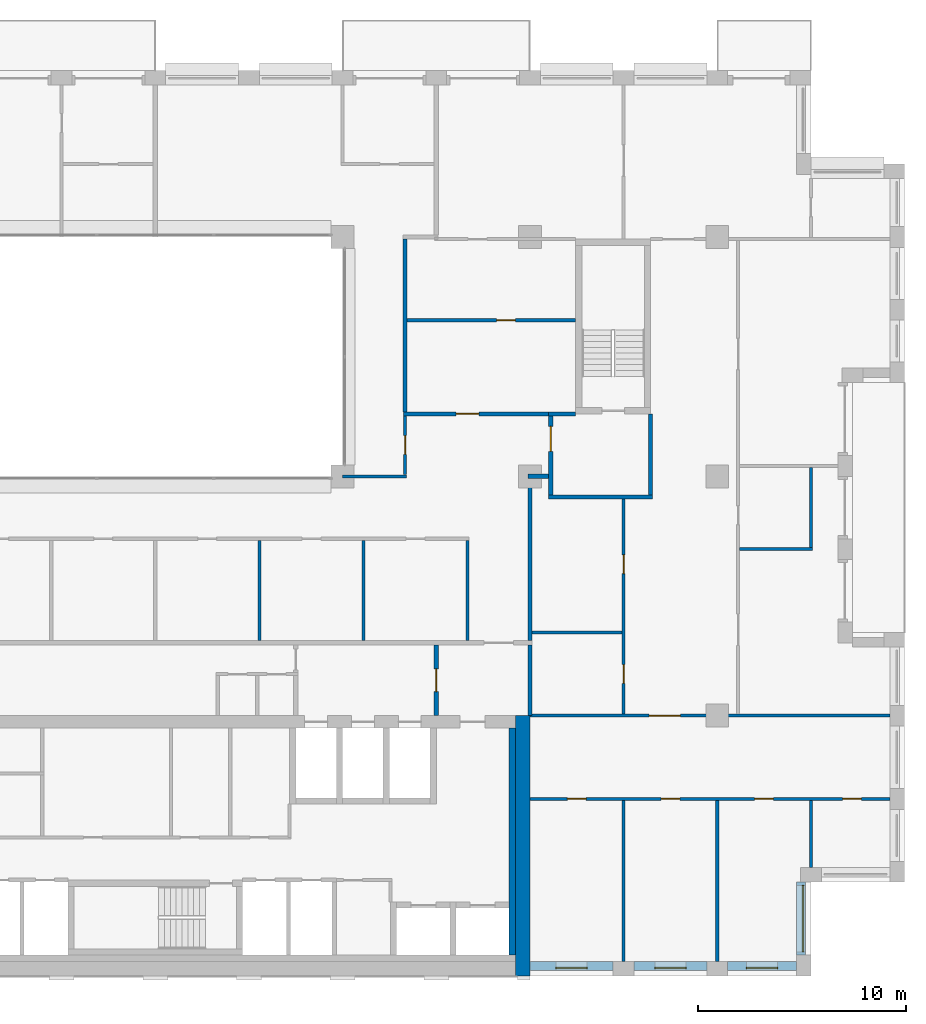
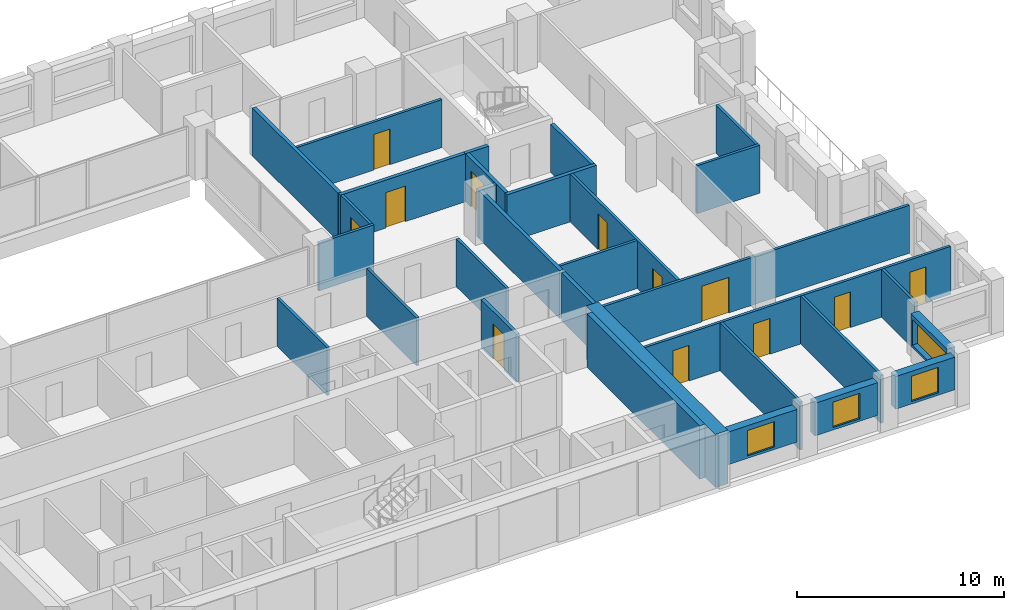
# One storey, part 11 of 16: 31 walls, 12 doors, 4 windows, 16 openings.
"""IFC4 building model written with IfcOpenShell, lengths in metres."""

from ifc_helpers import new_model, si_unit, direction, frame, frame_2d, origin, place, context, subcontext, project, spatial, rectangle, extrude, material, layer, layer_set, type_object, element, fill, save


model = new_model("IFC4")

# Units and contexts
model_context = context("Model", 3, precision=1e-05, world=origin(), true_north=direction((0.0, 1.0)))
body_context = subcontext(model_context, "Body", "Model", "MODEL_VIEW")
ifc_project = project(units=[si_unit("LENGTHUNIT", "METRE"), si_unit("AREAUNIT", "SQUARE_METRE"), si_unit("VOLUMEUNIT", "CUBIC_METRE"), si_unit("PLANEANGLEUNIT", "RADIAN"), si_unit("MASSUNIT", "GRAM", prefix="KILO")], contexts=[model_context])

# Site, building, storey
site_placement = place(None, origin())
site = spatial("IfcSite", under=ifc_project, at=site_placement, CompositionType="ELEMENT")
building_placement = place(site_placement, origin())
building = spatial("IfcBuilding", under=site, at=building_placement, Name="Brigalow Station Residences", CompositionType="ELEMENT")
storey_placement = place(building_placement, frame((0.0, 0.0, 166.5)))
storey = spatial("IfcBuildingStorey", under=building, at=storey_placement, Name="L48", CompositionType="ELEMENT", Elevation=166.5)

# Wall, opening, window
ifc_material_1 = material(Name="Clay brick masonry", Category="masonry")
ifc_layer_1 = layer(ifc_material_1, 0.449951171875)
ifc_layer_set_1 = layer_set([ifc_layer_1], Name="BRICK INFILL WALL 450")
wall_type_1 = type_object("IfcWallType", Name="BRICK INFILL WALL 450", PredefinedType="SOLIDWALL", material=ifc_layer_set_1)
wall_1_placement = place(storey_placement, frame((54.0, 0.47509765625, 0.89990234375), z_axis=(0.0, 0.0, 1.0), x_axis=(1.0, 0.0, 0.0)))
wall_1 = element("IfcWall", 1, at=wall_1_placement, inside=storey, type_object=wall_type_1, Name="L48/ewall/W-L48-4", PredefinedType="SOLIDWALL", context=body_context, shape_type="SweptSolid", body=[
    extrude(rectangle(XDim=4.0, YDim=0.449951171875, at=frame_2d((2.0, 0.0))), origin(), (0.0, 0.0, 1.0), 1.93017578125),
])
opening_1_placement = place(wall_1_placement, frame((1.25, 0.0, 0.14990234375)))
opening_1 = element("IfcOpeningElement", 2, at=opening_1_placement, cuts=wall_1, Name="Opening WT-1", PredefinedType="OPENING", context=body_context, shape_type="SweptSolid", body=[
    extrude(rectangle(XDim=1.5, YDim=1.5, at=frame_2d((0.75, 0.75))), frame((0.0, 0.23486328125, 0.0), z_axis=(0.0, -1.0, 0.0), x_axis=(1.0, 0.0, 0.0)), (0.0, 0.0, 1.0), 0.469970703125),
])
ifc_material_2 = material(Name="Anodised aluminium frame with double glazing", Category="aluminium")
window_type_1 = type_object("IfcWindowType", Name="WINDOW 1500x1500", PartitioningType="SINGLE_PANEL", PredefinedType="WINDOW", material=ifc_material_2)
window_1_placement = place(opening_1_placement, origin())
window_1 = element("IfcWindow", 3, at=window_1_placement, inside=storey, type_object=window_type_1, Name="L48/window/W-L48-4", OverallHeight=1.5, OverallWidth=1.5, PartitioningType="SINGLE_PANEL", PredefinedType="WINDOW", context=body_context, shape_type="SweptSolid", body=[
    extrude(rectangle(XDim=1.5, YDim=1.5, at=frame_2d((0.75, 0.75))), frame((0.0, -0.06494140625, 0.0), z_axis=(0.0, -1.0, 0.0), x_axis=(1.0, 0.0, 0.0)), (0.0, 0.0, 1.0), 0.06005859375),
])
fill(opening_1, window_1)

wall_2_placement = place(storey_placement, frame((59.0, 0.47509765625, 0.89990234375), z_axis=(0.0, 0.0, 1.0), x_axis=(1.0, 0.0, 0.0)))
wall_2 = element("IfcWall", 4, at=wall_2_placement, inside=storey, type_object=wall_type_1, Name="L48/ewall/W-L48-5", PredefinedType="SOLIDWALL", context=body_context, shape_type="SweptSolid", body=[
    extrude(rectangle(XDim=3.5, YDim=0.449951171875, at=frame_2d((1.75, 0.0))), origin(), (0.0, 0.0, 1.0), 1.93017578125),
])
opening_2_placement = place(wall_2_placement, frame((1.0, 0.0, 0.14990234375)))
opening_2 = element("IfcOpeningElement", 5, at=opening_2_placement, cuts=wall_2, Name="Opening WT-1", PredefinedType="OPENING", context=body_context, shape_type="SweptSolid", body=[
    extrude(rectangle(XDim=1.5, YDim=1.5, at=frame_2d((0.75, 0.75))), frame((0.0, 0.23486328125, 0.0), z_axis=(0.0, -1.0, 0.0), x_axis=(1.0, 0.0, 0.0)), (0.0, 0.0, 1.0), 0.469970703125),
])
window_2_placement = place(opening_2_placement, origin())
window_2 = element("IfcWindow", 6, at=window_2_placement, inside=storey, type_object=window_type_1, Name="L48/window/W-L48-5", OverallHeight=1.5, OverallWidth=1.5, PartitioningType="SINGLE_PANEL", PredefinedType="WINDOW", context=body_context, shape_type="SweptSolid", body=[
    extrude(rectangle(XDim=1.5, YDim=1.5, at=frame_2d((0.75, 0.75))), frame((0.0, -0.06494140625, 0.0), z_axis=(0.0, -1.0, 0.0), x_axis=(1.0, 0.0, 0.0)), (0.0, 0.0, 1.0), 0.06005859375),
])
fill(opening_2, window_2)

wall_3_placement = place(storey_placement, frame((63.5, 0.47509765625, 0.89990234375), z_axis=(0.0, 0.0, 1.0), x_axis=(1.0, 0.0, 0.0)))
wall_3 = element("IfcWall", 7, at=wall_3_placement, inside=storey, type_object=wall_type_1, Name="L48/ewall/W-L48-6", PredefinedType="SOLIDWALL", context=body_context, shape_type="SweptSolid", body=[
    extrude(rectangle(XDim=3.300048828125, YDim=0.449951171875, at=frame_2d((1.64990234375, 0.0))), origin(), (0.0, 0.0, 1.0), 1.93017578125),
])
opening_3_placement = place(wall_3_placement, frame((0.89990234375, 0.0, 0.14990234375)))
opening_3 = element("IfcOpeningElement", 8, at=opening_3_placement, cuts=wall_3, Name="Opening WT-1", PredefinedType="OPENING", context=body_context, shape_type="SweptSolid", body=[
    extrude(rectangle(XDim=1.5, YDim=1.5, at=frame_2d((0.75, 0.75))), frame((0.0, 0.23486328125, 0.0), z_axis=(0.0, -1.0, 0.0), x_axis=(1.0, 0.0, 0.0)), (0.0, 0.0, 1.0), 0.469970703125),
])
window_3_placement = place(opening_3_placement, origin())
window_3 = element("IfcWindow", 9, at=window_3_placement, inside=storey, type_object=window_type_1, Name="L48/window/W-L48-6", OverallHeight=1.5, OverallWidth=1.5, PartitioningType="SINGLE_PANEL", PredefinedType="WINDOW", context=body_context, shape_type="SweptSolid", body=[
    extrude(rectangle(XDim=1.5, YDim=1.5, at=frame_2d((0.75, 0.75))), frame((0.0, -0.06494140625, 0.0), z_axis=(0.0, -1.0, 0.0), x_axis=(1.0, 0.0, 0.0)), (0.0, 0.0, 1.0), 0.06005859375),
])
fill(opening_3, window_3)

wall_4_placement = place(storey_placement, frame((67.02490234375, 1.0, 0.89990234375), z_axis=(0.0, 0.0, 1.0), x_axis=(0.0, 1.0, 0.0)))
wall_4 = element("IfcWall", 10, at=wall_4_placement, inside=storey, type_object=wall_type_1, Name="L48/ewall/W-L48-7", PredefinedType="SOLIDWALL", context=body_context, shape_type="SweptSolid", body=[
    extrude(rectangle(XDim=3.5, YDim=0.449951171875, at=frame_2d((1.75, 0.0))), origin(), (0.0, 0.0, 1.0), 1.93017578125),
])
opening_4_placement = place(wall_4_placement, frame((0.14990234375, 0.0, 0.14990234375)))
opening_4 = element("IfcOpeningElement", 11, at=opening_4_placement, cuts=wall_4, Name="Opening WT-9", PredefinedType="OPENING", context=body_context, shape_type="SweptSolid", body=[
    extrude(rectangle(XDim=3.199951171875, YDim=1.5, at=frame_2d((1.60009765625, 0.75))), frame((0.0, 0.23486328125, 0.0), z_axis=(0.0, -1.0, 0.0), x_axis=(1.0, 0.0, 0.0)), (0.0, 0.0, 1.0), 0.469970703125),
])
ifc_material_3 = material(Name="Anodised aluminium frame with double glazing", Category="aluminium")
window_type_2 = type_object("IfcWindowType", Name="WINDOW 3200x1500", PartitioningType="SINGLE_PANEL", PredefinedType="WINDOW", material=ifc_material_3)
window_4_placement = place(opening_4_placement, origin())
window_4 = element("IfcWindow", 12, at=window_4_placement, inside=storey, type_object=window_type_2, Name="L48/window/W-L48-7", OverallHeight=1.5, OverallWidth=3.199951171875, PartitioningType="SINGLE_PANEL", PredefinedType="WINDOW", context=body_context, shape_type="SweptSolid", body=[
    extrude(rectangle(XDim=3.199951171875, YDim=1.5, at=frame_2d((1.60009765625, 0.75))), frame((0.0, -0.06494140625, 0.0), z_axis=(0.0, -1.0, 0.0), x_axis=(1.0, 0.0, 0.0)), (0.0, 0.0, 1.0), 0.06005859375),
])
fill(opening_4, window_4)

# Walls
ifc_material_4 = material(Name="Concrete C65", Category="concrete")
ifc_layer_2 = layer(ifc_material_4, 0.300048828125)
ifc_layer_set_2 = layer_set([ifc_layer_2], Name="CORE SHEAR WALL 300 C65")
wall_type_2 = type_object("IfcWallType", Name="CORE SHEAR WALL 300 C65", PredefinedType="SHEAR", material=ifc_layer_set_2)
wall_5_placement = place(storey_placement, frame((53.14990234375, 1.0, 0.0), z_axis=(0.0, 0.0, 1.0), x_axis=(0.0, 1.0, 0.0)))
element("IfcWall", 13, at=wall_5_placement, inside=storey, type_object=wall_type_2, Name="CORE WALL LIN-E L48", PredefinedType="SHEAR", context=body_context, shape_type="SweptSolid", body=[
    extrude(rectangle(XDim=10.89990234375, YDim=0.300048828125, at=frame_2d((5.449951171875, 0.0))), origin(), (0.0, 0.0, 1.0), 3.14990234375),
])
ifc_material_5 = material(Name="Concrete C65", Category="concrete")
ifc_layer_3 = layer(ifc_material_5, 0.699951171875)
ifc_layer_set_3 = layer_set([ifc_layer_3], Name="CORE SHEAR WALL 700 C65")
wall_type_3 = type_object("IfcWallType", Name="CORE SHEAR WALL 700 C65", PredefinedType="SHEAR", material=ifc_layer_set_3)
wall_6_placement = place(storey_placement, frame((53.64990234375, 0.0, 0.0), z_axis=(0.0, 0.0, 1.0), x_axis=(0.0, 1.0, 0.0)))
element("IfcWall", 14, at=wall_6_placement, inside=storey, type_object=wall_type_3, Name="CORE WALL OUT-E L48", PredefinedType="SHEAR", context=body_context, shape_type="SweptSolid", body=[
    extrude(rectangle(XDim=12.5, YDim=0.699951171875, at=frame_2d((6.25, 0.0))), origin(), (0.0, 0.0, 1.0), 3.14990234375),
])
ifc_material_6 = material(Name="Concrete blockwork", Category="masonry")
ifc_layer_4 = layer(ifc_material_6, 0.199951171875)
ifc_layer_set_4 = layer_set([ifc_layer_4], Name="FIRE RATED CORE PARTITION 200")
wall_type_4 = type_object("IfcWallType", Name="FIRE RATED CORE PARTITION 200", PredefinedType="PARTITIONING", material=ifc_layer_set_4)
wall_7_placement = place(storey_placement, frame((54.89990234375, 23.0, 0.0), z_axis=(0.0, 0.0, 1.0), x_axis=(1.0, 0.0, 0.0)))
element("IfcWall", 15, at=wall_7_placement, inside=storey, type_object=wall_type_4, Name="PW-5024", PredefinedType="PARTITIONING", context=body_context, shape_type="SweptSolid", body=[
    extrude(rectangle(XDim=5.0, YDim=0.199951171875, at=frame_2d((2.5, 0.0))), origin(), (0.0, 0.0, 1.0), 2.830078125),
])
wall_8_placement = place(storey_placement, frame((54.89990234375, 27.0, 0.0), z_axis=(0.0, 0.0, 1.0), x_axis=(1.0, 0.0, 0.0)))
element("IfcWall", 16, at=wall_8_placement, inside=storey, type_object=wall_type_4, Name="PW-5026", PredefinedType="PARTITIONING", context=body_context, shape_type="SweptSolid", body=[
    extrude(rectangle(XDim=1.300048828125, YDim=0.199951171875, at=frame_2d((0.64990234375, 0.0))), origin(), (0.0, 0.0, 1.0), 2.830078125),
])

# Wall, opening, door
wall_9_placement = place(storey_placement, frame((49.5, 12.5, 0.0), z_axis=(0.0, 0.0, 1.0), x_axis=(0.0, 1.0, 0.0)))
wall_9 = element("IfcWall", 17, at=wall_9_placement, inside=storey, type_object=wall_type_4, Name="PW-5015", PredefinedType="PARTITIONING", context=body_context, shape_type="SweptSolid", body=[
    extrude(rectangle(XDim=3.39990234375, YDim=0.199951171875, at=frame_2d((1.699951171875, 0.0))), origin(), (0.0, 0.0, 1.0), 2.830078125),
])
opening_5_placement = place(wall_9_placement, frame((1.14990234375, 0.0, 0.0)))
opening_5 = element("IfcOpeningElement", 18, at=opening_5_placement, cuts=wall_9, Name="Opening D-5014", PredefinedType="OPENING", context=body_context, shape_type="SweptSolid", body=[
    extrude(rectangle(XDim=1.10009765625, YDim=2.10009765625, at=frame_2d((0.550048828125, 1.050048828125))), frame((0.0, 0.10986328125, 0.0), z_axis=(0.0, -1.0, 0.0), x_axis=(1.0, 0.0, 0.0)), (0.0, 0.0, 1.0), 0.219970703125),
])
ifc_material_7 = material(Name="Steel fire door leaf in steel frame", Category="steel")
door_type_1 = type_object("IfcDoorType", Name="LOBBY DOOR 1100 x 2100 FD60S", OperationType="SINGLE_SWING_LEFT", PredefinedType="DOOR", material=ifc_material_7)
door_1_placement = place(opening_5_placement, origin())
door_1 = element("IfcDoor", 19, at=door_1_placement, inside=storey, type_object=door_type_1, Name="D-5014", OperationType="SINGLE_SWING_LEFT", OverallHeight=2.10009765625, OverallWidth=1.10009765625, PredefinedType="DOOR", context=body_context, shape_type="SweptSolid", body=[
    extrude(rectangle(XDim=1.10009765625, YDim=2.10009765625, at=frame_2d((0.550048828125, 1.050048828125))), frame((0.0, 0.02490234375, 0.0), z_axis=(0.0, -1.0, 0.0), x_axis=(1.0, 0.0, 0.0)), (0.0, 0.0, 1.0), 0.050048828125),
])
fill(opening_5, door_1)

# Wall
wall_10_placement = place(storey_placement, frame((54.0, 12.5, 0.0), z_axis=(0.0, 0.0, 1.0), x_axis=(0.0, 1.0, 0.0)))
element("IfcWall", 20, at=wall_10_placement, inside=storey, type_object=wall_type_4, Name="PW-5016", PredefinedType="PARTITIONING", context=body_context, shape_type="SweptSolid", body=[
    extrude(rectangle(XDim=3.39990234375, YDim=0.199951171875, at=frame_2d((1.699951171875, 0.0))), origin(), (0.0, 0.0, 1.0), 2.830078125),
])

# Wall, opening, door
wall_11_placement = place(storey_placement, frame((55.0, 23.10009765625, 0.0), z_axis=(0.0, 0.0, 1.0), x_axis=(0.0, 1.0, 0.0)))
wall_11 = element("IfcWall", 21, at=wall_11_placement, inside=storey, type_object=wall_type_4, Name="PW-5036", PredefinedType="PARTITIONING", context=body_context, shape_type="SweptSolid", body=[
    extrude(rectangle(XDim=3.7998046875, YDim=0.199951171875, at=frame_2d((1.89990234375, 0.0))), origin(), (0.0, 0.0, 1.0), 2.830078125),
])
opening_6_placement = place(wall_11_placement, frame((2.10009765625, 0.0, 0.0)))
opening_6 = element("IfcOpeningElement", 22, at=opening_6_placement, cuts=wall_11, Name="Opening D-5019", PredefinedType="OPENING", context=body_context, shape_type="SweptSolid", body=[
    extrude(rectangle(XDim=1.199951171875, YDim=2.10009765625, at=frame_2d((0.60009765625, 1.050048828125))), frame((0.0, 0.10986328125, 0.0), z_axis=(0.0, -1.0, 0.0), x_axis=(1.0, 0.0, 0.0)), (0.0, 0.0, 1.0), 0.219970703125),
])
ifc_material_8 = material(Name="Steel fire door leaf in steel frame", Category="steel")
door_type_2 = type_object("IfcDoorType", Name="STAIR LOBBY DOOR 1200 x 2100 FD60S", OperationType="SINGLE_SWING_LEFT", PredefinedType="DOOR", material=ifc_material_8)
door_2_placement = place(opening_6_placement, frame((1.199951171875, 0.0, 0.0), z_axis=(0.0, 0.0, 1.0), x_axis=(-1.0, 0.0, 0.0)))
door_2 = element("IfcDoor", 23, at=door_2_placement, inside=storey, type_object=door_type_2, Name="D-5019", OperationType="SINGLE_SWING_LEFT", OverallHeight=2.10009765625, OverallWidth=1.199951171875, PredefinedType="DOOR", context=body_context, shape_type="SweptSolid", body=[
    extrude(rectangle(XDim=1.199951171875, YDim=2.10009765625, at=frame_2d((0.60009765625, 1.050048828125))), frame((0.0, 0.02490234375, 0.0), z_axis=(0.0, -1.0, 0.0), x_axis=(1.0, 0.0, 0.0)), (0.0, 0.0, 1.0), 0.050048828125),
])
fill(opening_6, door_2)

# Walls
wall_12_placement = place(storey_placement, frame((59.800048828125, 23.10009765625, 0.0), z_axis=(0.0, 0.0, 1.0), x_axis=(0.0, 1.0, 0.0)))
element("IfcWall", 24, at=wall_12_placement, inside=storey, type_object=wall_type_4, Name="PW-5037", PredefinedType="PARTITIONING", context=body_context, shape_type="SweptSolid", body=[
    extrude(rectangle(XDim=3.89990234375, YDim=0.199951171875, at=frame_2d((1.949951171875, 0.0))), origin(), (0.0, 0.0, 1.0), 2.830078125),
])
ifc_material_9 = material(Name="Plasterboard on steel stud partition", Category="steel")
ifc_layer_5 = layer(ifc_material_9, 0.14990234375)
ifc_layer_set_5 = layer_set([ifc_layer_5], Name="FLAT PARTITION 150")
wall_type_5 = type_object("IfcWallType", Name="FLAT PARTITION 150", PredefinedType="PARTITIONING", material=ifc_layer_set_5)
wall_13_placement = place(storey_placement, frame((45.0, 24.0, 0.0), z_axis=(0.0, 0.0, 1.0), x_axis=(1.0, 0.0, 0.0)))
element("IfcWall", 25, at=wall_13_placement, inside=storey, type_object=wall_type_5, Name="PW-3D01", PredefinedType="PARTITIONING", context=body_context, shape_type="SweptSolid", body=[
    extrude(rectangle(XDim=3.074951171875, YDim=0.14990234375, at=frame_2d((1.53759765625, 0.0))), origin(), (0.0, 0.0, 1.0), 2.830078125),
])

# Wall, openings, doors
wall_14_placement = place(storey_placement, frame((54.0, 8.5, 0.0), z_axis=(0.0, 0.0, 1.0), x_axis=(1.0, 0.0, 0.0)))
wall_14 = element("IfcWall", 26, at=wall_14_placement, inside=storey, type_object=wall_type_5, Name="PW-3D09", PredefinedType="PARTITIONING", context=body_context, shape_type="SweptSolid", body=[
    extrude(rectangle(XDim=17.300048828125, YDim=0.14990234375, at=frame_2d((8.64990234375, 0.0))), origin(), (0.0, 0.0, 1.0), 2.830078125),
])
opening_7_placement = place(wall_14_placement, frame((1.800048828125, 0.0, 0.0)))
opening_7 = element("IfcOpeningElement", 27, at=opening_7_placement, cuts=wall_14, Name="Opening D-3D31", PredefinedType="OPENING", context=body_context, shape_type="SweptSolid", body=[
    extrude(rectangle(XDim=0.89990234375, YDim=2.10009765625, at=frame_2d((0.449951171875, 1.050048828125))), frame((0.0, 0.0849609375, 0.0), z_axis=(0.0, -1.0, 0.0), x_axis=(1.0, 0.0, 0.0)), (0.0, 0.0, 1.0), 0.169921875),
])
opening_8_placement = place(wall_14_placement, frame((6.300048828125, 0.0, 0.0)))
opening_8 = element("IfcOpeningElement", 28, at=opening_8_placement, cuts=wall_14, Name="Opening D-3D32", PredefinedType="OPENING", context=body_context, shape_type="SweptSolid", body=[
    extrude(rectangle(XDim=0.89990234375, YDim=2.10009765625, at=frame_2d((0.449951171875, 1.050048828125))), frame((0.0, 0.0849609375, 0.0), z_axis=(0.0, -1.0, 0.0), x_axis=(1.0, 0.0, 0.0)), (0.0, 0.0, 1.0), 0.169921875),
])
opening_9_placement = place(wall_14_placement, frame((10.800048828125, 0.0, 0.0)))
opening_9 = element("IfcOpeningElement", 29, at=opening_9_placement, cuts=wall_14, Name="Opening D-3D33", PredefinedType="OPENING", context=body_context, shape_type="SweptSolid", body=[
    extrude(rectangle(XDim=0.89990234375, YDim=2.10009765625, at=frame_2d((0.449951171875, 1.050048828125))), frame((0.0, 0.0849609375, 0.0), z_axis=(0.0, -1.0, 0.0), x_axis=(1.0, 0.0, 0.0)), (0.0, 0.0, 1.0), 0.169921875),
])
opening_10_placement = place(wall_14_placement, frame((15.02490234375, 0.0, 0.0)))
opening_10 = element("IfcOpeningElement", 30, at=opening_10_placement, cuts=wall_14, Name="Opening D-3D34", PredefinedType="OPENING", context=body_context, shape_type="SweptSolid", body=[
    extrude(rectangle(XDim=0.89990234375, YDim=2.10009765625, at=frame_2d((0.449951171875, 1.050048828125))), frame((0.0, 0.0849609375, 0.0), z_axis=(0.0, -1.0, 0.0), x_axis=(1.0, 0.0, 0.0)), (0.0, 0.0, 1.0), 0.169921875),
])
ifc_material_10 = material(Name="Solid-core timber door leaf", Category="wood")
door_type_3 = type_object("IfcDoorType", Name="INTERNAL DOOR 900 x 2100", OperationType="SINGLE_SWING_LEFT", PredefinedType="DOOR", material=ifc_material_10)
door_3_placement = place(opening_7_placement, frame((0.89990234375, 0.0, 0.0), z_axis=(0.0, 0.0, 1.0), x_axis=(-1.0, 0.0, 0.0)))
door_3 = element("IfcDoor", 31, at=door_3_placement, inside=storey, type_object=door_type_3, Name="D-3D31", OperationType="SINGLE_SWING_LEFT", OverallHeight=2.10009765625, OverallWidth=0.89990234375, PredefinedType="DOOR", context=body_context, shape_type="SweptSolid", body=[
    extrude(rectangle(XDim=0.89990234375, YDim=2.10009765625, at=frame_2d((0.449951171875, 1.050048828125))), frame((0.0, 0.02490234375, 0.0), z_axis=(0.0, -1.0, 0.0), x_axis=(1.0, 0.0, 0.0)), (0.0, 0.0, 1.0), 0.050048828125),
])
fill(opening_7, door_3)
door_4_placement = place(opening_8_placement, frame((0.89990234375, 0.0, 0.0), z_axis=(0.0, 0.0, 1.0), x_axis=(-1.0, 0.0, 0.0)))
door_4 = element("IfcDoor", 32, at=door_4_placement, inside=storey, type_object=door_type_3, Name="D-3D32", OperationType="SINGLE_SWING_LEFT", OverallHeight=2.10009765625, OverallWidth=0.89990234375, PredefinedType="DOOR", context=body_context, shape_type="SweptSolid", body=[
    extrude(rectangle(XDim=0.89990234375, YDim=2.10009765625, at=frame_2d((0.449951171875, 1.050048828125))), frame((0.0, 0.02490234375, 0.0), z_axis=(0.0, -1.0, 0.0), x_axis=(1.0, 0.0, 0.0)), (0.0, 0.0, 1.0), 0.050048828125),
])
fill(opening_8, door_4)
door_5_placement = place(opening_9_placement, frame((0.89990234375, 0.0, 0.0), z_axis=(0.0, 0.0, 1.0), x_axis=(-1.0, 0.0, 0.0)))
door_5 = element("IfcDoor", 33, at=door_5_placement, inside=storey, type_object=door_type_3, Name="D-3D33", OperationType="SINGLE_SWING_RIGHT", OverallHeight=2.10009765625, OverallWidth=0.89990234375, PredefinedType="DOOR", context=body_context, shape_type="SweptSolid", body=[
    extrude(rectangle(XDim=0.89990234375, YDim=2.10009765625, at=frame_2d((0.449951171875, 1.050048828125))), frame((0.0, 0.02490234375, 0.0), z_axis=(0.0, -1.0, 0.0), x_axis=(1.0, 0.0, 0.0)), (0.0, 0.0, 1.0), 0.050048828125),
])
fill(opening_9, door_5)
door_6_placement = place(opening_10_placement, frame((0.89990234375, 0.0, 0.0), z_axis=(0.0, 0.0, 1.0), x_axis=(-1.0, 0.0, 0.0)))
door_6 = element("IfcDoor", 34, at=door_6_placement, inside=storey, type_object=door_type_3, Name="D-3D34", OperationType="SINGLE_SWING_LEFT", OverallHeight=2.10009765625, OverallWidth=0.89990234375, PredefinedType="DOOR", context=body_context, shape_type="SweptSolid", body=[
    extrude(rectangle(XDim=0.89990234375, YDim=2.10009765625, at=frame_2d((0.449951171875, 1.050048828125))), frame((0.0, 0.02490234375, 0.0), z_axis=(0.0, -1.0, 0.0), x_axis=(1.0, 0.0, 0.0)), (0.0, 0.0, 1.0), 0.050048828125),
])
fill(opening_10, door_6)

# Wall, opening, door
wall_15_placement = place(storey_placement, frame((54.0, 12.5, 0.0), z_axis=(0.0, 0.0, 1.0), x_axis=(1.0, 0.0, 0.0)))
wall_15 = element("IfcWall", 35, at=wall_15_placement, inside=storey, type_object=wall_type_5, Name="PW-3D11", PredefinedType="PARTITIONING", context=body_context, shape_type="SweptSolid", body=[
    extrude(rectangle(XDim=17.300048828125, YDim=0.14990234375, at=frame_2d((8.64990234375, 0.0))), origin(), (0.0, 0.0, 1.0), 2.830078125),
])
opening_11_placement = place(wall_15_placement, frame((5.72509765625, 0.0, 0.0)))
opening_11 = element("IfcOpeningElement", 36, at=opening_11_placement, cuts=wall_15, Name="Opening D-3D30", PredefinedType="OPENING", context=body_context, shape_type="SweptSolid", body=[
    extrude(rectangle(XDim=1.5, YDim=2.10009765625, at=frame_2d((0.75, 1.050048828125))), frame((0.0, 0.0849609375, 0.0), z_axis=(0.0, -1.0, 0.0), x_axis=(1.0, 0.0, 0.0)), (0.0, 0.0, 1.0), 0.169921875),
])
ifc_material_11 = material(Name="Solid-core timber door leaf", Category="wood")
door_type_4 = type_object("IfcDoorType", Name="INTERNAL DOUBLE DOOR 1500 x 2100", OperationType="DOUBLE_DOOR_SINGLE_SWING", PredefinedType="DOOR", material=ifc_material_11)
door_7_placement = place(opening_11_placement, frame((1.5, 0.0, 0.0), z_axis=(0.0, 0.0, 1.0), x_axis=(-1.0, 0.0, 0.0)))
door_7 = element("IfcDoor", 37, at=door_7_placement, inside=storey, type_object=door_type_4, Name="D-3D30", OperationType="DOUBLE_DOOR_SINGLE_SWING", OverallHeight=2.10009765625, OverallWidth=1.5, PredefinedType="DOOR", context=body_context, shape_type="SweptSolid", body=[
    extrude(rectangle(XDim=1.5, YDim=2.10009765625, at=frame_2d((0.75, 1.050048828125))), frame((0.0, 0.02490234375, 0.0), z_axis=(0.0, -1.0, 0.0), x_axis=(1.0, 0.0, 0.0)), (0.0, 0.0, 1.0), 0.050048828125),
])
fill(opening_11, door_7)

# Wall
wall_16_placement = place(storey_placement, frame((54.10009765625, 16.5, 0.0), z_axis=(0.0, 0.0, 1.0), x_axis=(1.0, 0.0, 0.0)))
element("IfcWall", 38, at=wall_16_placement, inside=storey, type_object=wall_type_5, Name="PW-3D14", PredefinedType="PARTITIONING", context=body_context, shape_type="SweptSolid", body=[
    extrude(rectangle(XDim=4.324951171875, YDim=0.14990234375, at=frame_2d((2.16259765625, 0.0))), origin(), (0.0, 0.0, 1.0), 2.830078125),
])

# Wall, opening, door
wall_17_placement = place(storey_placement, frame((48.10009765625, 31.5, 0.0), z_axis=(0.0, 0.0, 1.0), x_axis=(1.0, 0.0, 0.0)))
wall_17 = element("IfcWall", 39, at=wall_17_placement, inside=storey, type_object=wall_type_5, Name="PW-3D25", PredefinedType="PARTITIONING", context=body_context, shape_type="SweptSolid", body=[
    extrude(rectangle(XDim=8.099853515625, YDim=0.14990234375, at=frame_2d((4.0498046875, 0.0))), origin(), (0.0, 0.0, 1.0), 2.830078125),
])
opening_12_placement = place(wall_17_placement, frame((4.300048828125, 0.0, 0.0)))
opening_12 = element("IfcOpeningElement", 40, at=opening_12_placement, cuts=wall_17, Name="Opening D-3D20", PredefinedType="OPENING", context=body_context, shape_type="SweptSolid", body=[
    extrude(rectangle(XDim=0.89990234375, YDim=2.10009765625, at=frame_2d((0.449951171875, 1.050048828125))), frame((0.0, 0.0849609375, 0.0), z_axis=(0.0, -1.0, 0.0), x_axis=(1.0, 0.0, 0.0)), (0.0, 0.0, 1.0), 0.169921875),
])
door_8_placement = place(opening_12_placement, origin())
door_8 = element("IfcDoor", 41, at=door_8_placement, inside=storey, type_object=door_type_3, Name="D-3D20", OperationType="SINGLE_SWING_RIGHT", OverallHeight=2.10009765625, OverallWidth=0.89990234375, PredefinedType="DOOR", context=body_context, shape_type="SweptSolid", body=[
    extrude(rectangle(XDim=0.89990234375, YDim=2.10009765625, at=frame_2d((0.449951171875, 1.050048828125))), frame((0.0, 0.02490234375, 0.0), z_axis=(0.0, -1.0, 0.0), x_axis=(1.0, 0.0, 0.0)), (0.0, 0.0, 1.0), 0.050048828125),
])
fill(opening_12, door_8)

# Walls
wall_18_placement = place(storey_placement, frame((64.074951171875, 20.5, 0.0), z_axis=(0.0, 0.0, 1.0), x_axis=(1.0, 0.0, 0.0)))
element("IfcWall", 42, at=wall_18_placement, inside=storey, type_object=wall_type_5, Name="PW-3D26", PredefinedType="PARTITIONING", context=body_context, shape_type="SweptSolid", body=[
    extrude(rectangle(XDim=3.5, YDim=0.14990234375, at=frame_2d((1.75, 0.0))), origin(), (0.0, 0.0, 1.0), 2.830078125),
])
wall_19_placement = place(storey_placement, frame((51.0, 16.10009765625, 0.0), z_axis=(0.0, 0.0, 1.0), x_axis=(0.0, 1.0, 0.0)))
element("IfcWall", 43, at=wall_19_placement, inside=storey, type_object=wall_type_5, Name="PW-3D31", PredefinedType="PARTITIONING", context=body_context, shape_type="SweptSolid", body=[
    extrude(rectangle(XDim=4.824951171875, YDim=0.14990234375, at=frame_2d((2.41259765625, 0.0))), origin(), (0.0, 0.0, 1.0), 2.830078125),
])

# Wall, opening, door
wall_20_placement = place(storey_placement, frame((48.0, 24.074951171875, 0.0), z_axis=(0.0, 0.0, 1.0), x_axis=(0.0, 1.0, 0.0)))
wall_20 = element("IfcWall", 44, at=wall_20_placement, inside=storey, type_object=wall_type_5, Name="PW-3D33", PredefinedType="PARTITIONING", context=body_context, shape_type="SweptSolid", body=[
    extrude(rectangle(XDim=2.824951171875, YDim=0.14990234375, at=frame_2d((1.41259765625, 0.0))), origin(), (0.0, 0.0, 1.0), 2.830078125),
])
opening_13_placement = place(wall_20_placement, frame((0.97509765625, 0.0, 0.0)))
opening_13 = element("IfcOpeningElement", 45, at=opening_13_placement, cuts=wall_20, Name="Opening D-3D35", PredefinedType="OPENING", context=body_context, shape_type="SweptSolid", body=[
    extrude(rectangle(XDim=0.89990234375, YDim=2.10009765625, at=frame_2d((0.449951171875, 1.050048828125))), frame((0.0, 0.0849609375, 0.0), z_axis=(0.0, -1.0, 0.0), x_axis=(1.0, 0.0, 0.0)), (0.0, 0.0, 1.0), 0.169921875),
])
door_9_placement = place(opening_13_placement, frame((0.89990234375, 0.0, 0.0), z_axis=(0.0, 0.0, 1.0), x_axis=(-1.0, 0.0, 0.0)))
door_9 = element("IfcDoor", 46, at=door_9_placement, inside=storey, type_object=door_type_3, Name="D-3D35", OperationType="SINGLE_SWING_LEFT", OverallHeight=2.10009765625, OverallWidth=0.89990234375, PredefinedType="DOOR", context=body_context, shape_type="SweptSolid", body=[
    extrude(rectangle(XDim=0.89990234375, YDim=2.10009765625, at=frame_2d((0.449951171875, 1.050048828125))), frame((0.0, 0.02490234375, 0.0), z_axis=(0.0, -1.0, 0.0), x_axis=(1.0, 0.0, 0.0)), (0.0, 0.0, 1.0), 0.050048828125),
])
fill(opening_13, door_9)

# Wall
wall_21_placement = place(storey_placement, frame((58.5, 0.699951171875, 0.0), z_axis=(0.0, 0.0, 1.0), x_axis=(0.0, 1.0, 0.0)))
element("IfcWall", 47, at=wall_21_placement, inside=storey, type_object=wall_type_5, Name="PW-3D46", PredefinedType="PARTITIONING", context=body_context, shape_type="SweptSolid", body=[
    extrude(rectangle(XDim=7.72509765625, YDim=0.14990234375, at=frame_2d((3.862548828125, 0.0))), origin(), (0.0, 0.0, 1.0), 2.830078125),
])

# Wall, openings, doors
wall_22_placement = place(storey_placement, frame((58.5, 12.574951171875, 0.0), z_axis=(0.0, 0.0, 1.0), x_axis=(0.0, 1.0, 0.0)))
wall_22 = element("IfcWall", 48, at=wall_22_placement, inside=storey, type_object=wall_type_5, Name="PW-3D47", PredefinedType="PARTITIONING", context=body_context, shape_type="SweptSolid", body=[
    extrude(rectangle(XDim=10.324951171875, YDim=0.14990234375, at=frame_2d((5.16259765625, 0.0))), origin(), (0.0, 0.0, 1.0), 2.830078125),
])
opening_14_placement = place(wall_22_placement, frame((6.75, 0.0, 0.0)))
opening_14 = element("IfcOpeningElement", 49, at=opening_14_placement, cuts=wall_22, Name="Opening D-3D27", PredefinedType="OPENING", context=body_context, shape_type="SweptSolid", body=[
    extrude(rectangle(XDim=0.89990234375, YDim=2.10009765625, at=frame_2d((0.449951171875, 1.050048828125))), frame((0.0, 0.0849609375, 0.0), z_axis=(0.0, -1.0, 0.0), x_axis=(1.0, 0.0, 0.0)), (0.0, 0.0, 1.0), 0.169921875),
])
opening_15_placement = place(wall_22_placement, frame((1.47509765625, 0.0, 0.0)))
opening_15 = element("IfcOpeningElement", 50, at=opening_15_placement, cuts=wall_22, Name="Opening D-3D29", PredefinedType="OPENING", context=body_context, shape_type="SweptSolid", body=[
    extrude(rectangle(XDim=0.89990234375, YDim=2.10009765625, at=frame_2d((0.449951171875, 1.050048828125))), frame((0.0, 0.0849609375, 0.0), z_axis=(0.0, -1.0, 0.0), x_axis=(1.0, 0.0, 0.0)), (0.0, 0.0, 1.0), 0.169921875),
])
door_10_placement = place(opening_14_placement, origin())
door_10 = element("IfcDoor", 51, at=door_10_placement, inside=storey, type_object=door_type_3, Name="D-3D27", OperationType="SINGLE_SWING_RIGHT", OverallHeight=2.10009765625, OverallWidth=0.89990234375, PredefinedType="DOOR", context=body_context, shape_type="SweptSolid", body=[
    extrude(rectangle(XDim=0.89990234375, YDim=2.10009765625, at=frame_2d((0.449951171875, 1.050048828125))), frame((0.0, 0.02490234375, 0.0), z_axis=(0.0, -1.0, 0.0), x_axis=(1.0, 0.0, 0.0)), (0.0, 0.0, 1.0), 0.050048828125),
])
fill(opening_14, door_10)
door_11_placement = place(opening_15_placement, origin())
door_11 = element("IfcDoor", 52, at=door_11_placement, inside=storey, type_object=door_type_3, Name="D-3D29", OperationType="SINGLE_SWING_RIGHT", OverallHeight=2.10009765625, OverallWidth=0.89990234375, PredefinedType="DOOR", context=body_context, shape_type="SweptSolid", body=[
    extrude(rectangle(XDim=0.89990234375, YDim=2.10009765625, at=frame_2d((0.449951171875, 1.050048828125))), frame((0.0, 0.02490234375, 0.0), z_axis=(0.0, -1.0, 0.0), x_axis=(1.0, 0.0, 0.0)), (0.0, 0.0, 1.0), 0.050048828125),
])
fill(opening_15, door_11)

# Walls
wall_23_placement = place(storey_placement, frame((67.5, 5.199951171875, 0.0), z_axis=(0.0, 0.0, 1.0), x_axis=(0.0, 1.0, 0.0)))
element("IfcWall", 53, at=wall_23_placement, inside=storey, type_object=wall_type_5, Name="PW-3D49", PredefinedType="PARTITIONING", context=body_context, shape_type="SweptSolid", body=[
    extrude(rectangle(XDim=3.22509765625, YDim=0.14990234375, at=frame_2d((1.612548828125, 0.0))), origin(), (0.0, 0.0, 1.0), 2.830078125),
])
wall_24_placement = place(storey_placement, frame((67.5, 20.574951171875, 0.0), z_axis=(0.0, 0.0, 1.0), x_axis=(0.0, 1.0, 0.0)))
element("IfcWall", 54, at=wall_24_placement, inside=storey, type_object=wall_type_5, Name="PW-3D50", PredefinedType="PARTITIONING", context=body_context, shape_type="SweptSolid", body=[
    extrude(rectangle(XDim=3.85009765625, YDim=0.14990234375, at=frame_2d((1.925048828125, 0.0))), origin(), (0.0, 0.0, 1.0), 2.830078125),
])
wall_25_placement = place(storey_placement, frame((63.0, 0.699951171875, 0.0), z_axis=(0.0, 0.0, 1.0), x_axis=(0.0, 1.0, 0.0)))
element("IfcWall", 55, at=wall_25_placement, inside=storey, type_object=wall_type_5, Name="PW-3D53", PredefinedType="PARTITIONING", context=body_context, shape_type="SweptSolid", body=[
    extrude(rectangle(XDim=7.72509765625, YDim=0.14990234375, at=frame_2d((3.862548828125, 0.0))), origin(), (0.0, 0.0, 1.0), 2.830078125),
])
for number, where, z_axis, x_axis, name in (
    (56, (41.0, 16.10009765625, 0.0), (0.0, 0.0, 1.0), (0.0, 1.0, 0.0), "PW-3D57"),
    (57, (46.0, 16.10009765625, 0.0), (0.0, 0.0, 1.0), (0.0, 1.0, 0.0), "PW-3D58"),
):
    element("IfcWall", number, at=place(storey_placement, frame(where, z_axis=z_axis, x_axis=x_axis)), inside=storey, type_object=wall_type_5, Name=name, PredefinedType="PARTITIONING", context=body_context, shape_type="SweptSolid", body=[
        extrude(rectangle(XDim=4.824951171875, YDim=0.14990234375, at=frame_2d((2.41259765625, 0.0))), origin(), (0.0, 0.0, 1.0), 2.830078125),
    ])
ifc_material_12 = material(Name="Plasterboard on steel stud partition", Category="steel")
ifc_layer_6 = layer(ifc_material_12, 0.199951171875)
ifc_layer_set_6 = layer_set([ifc_layer_6], Name="PARTY AND CORRIDOR WALL 200")
wall_type_6 = type_object("IfcWallType", Name="PARTY AND CORRIDOR WALL 200", PredefinedType="PARTITIONING", material=ifc_layer_set_6)
wall_26_placement = place(storey_placement, frame((53.89990234375, 24.0, 0.0), z_axis=(0.0, 0.0, 1.0), x_axis=(1.0, 0.0, 0.0)))
element("IfcWall", 58, at=wall_26_placement, inside=storey, type_object=wall_type_6, Name="PW-3D04", PredefinedType="PARTITIONING", context=body_context, shape_type="SweptSolid", body=[
    extrude(rectangle(XDim=1.0, YDim=0.199951171875, at=frame_2d((0.5, 0.0))), origin(), (0.0, 0.0, 1.0), 2.830078125),
])

# Wall, opening, door
wall_27_placement = place(storey_placement, frame((47.925048828125, 27.0, 0.0), z_axis=(0.0, 0.0, 1.0), x_axis=(1.0, 0.0, 0.0)))
wall_27 = element("IfcWall", 59, at=wall_27_placement, inside=storey, type_object=wall_type_6, Name="PW-3D07", PredefinedType="PARTITIONING", context=body_context, shape_type="SweptSolid", body=[
    extrude(rectangle(XDim=6.974853515625, YDim=0.199951171875, at=frame_2d((3.4873046875, 0.0))), origin(), (0.0, 0.0, 1.0), 2.830078125),
])
opening_16_placement = place(wall_27_placement, frame((2.52490234375, 0.0, 0.0)))
opening_16 = element("IfcOpeningElement", 60, at=opening_16_placement, cuts=wall_27, Name="Opening D-3D19", PredefinedType="OPENING", context=body_context, shape_type="SweptSolid", body=[
    extrude(rectangle(XDim=1.10009765625, YDim=2.10009765625, at=frame_2d((0.550048828125, 1.050048828125))), frame((0.0, 0.10986328125, 0.0), z_axis=(0.0, -1.0, 0.0), x_axis=(1.0, 0.0, 0.0)), (0.0, 0.0, 1.0), 0.219970703125),
])
ifc_material_13 = material(Name="Solid-core timber door leaf", Category="wood")
door_type_5 = type_object("IfcDoorType", Name="FLAT ENTRANCE DOOR 1100 x 2100 FRL -/60/30", OperationType="SINGLE_SWING_LEFT", PredefinedType="DOOR", material=ifc_material_13)
door_12_placement = place(opening_16_placement, origin())
door_12 = element("IfcDoor", 61, at=door_12_placement, inside=storey, type_object=door_type_5, Name="D-3D19", OperationType="SINGLE_SWING_LEFT", OverallHeight=2.10009765625, OverallWidth=1.10009765625, PredefinedType="DOOR", context=body_context, shape_type="SweptSolid", body=[
    extrude(rectangle(XDim=1.10009765625, YDim=2.10009765625, at=frame_2d((0.550048828125, 1.050048828125))), frame((0.0, 0.02490234375, 0.0), z_axis=(0.0, -1.0, 0.0), x_axis=(1.0, 0.0, 0.0)), (0.0, 0.0, 1.0), 0.050048828125),
])
fill(opening_16, door_12)

# Walls
wall_28_placement = place(storey_placement, frame((54.0, 16.10009765625, 0.0), z_axis=(0.0, 0.0, 1.0), x_axis=(0.0, 1.0, 0.0)))
element("IfcWall", 62, at=wall_28_placement, inside=storey, type_object=wall_type_6, Name="PW-3D29", PredefinedType="PARTITIONING", context=body_context, shape_type="SweptSolid", body=[
    extrude(rectangle(XDim=7.7998046875, YDim=0.199951171875, at=frame_2d((3.89990234375, 0.0))), origin(), (0.0, 0.0, 1.0), 2.830078125),
])
wall_29_placement = place(storey_placement, frame((48.0, 27.10009765625, 0.0), z_axis=(0.0, 0.0, 1.0), x_axis=(0.0, 1.0, 0.0)))
element("IfcWall", 63, at=wall_29_placement, inside=storey, type_object=wall_type_6, Name="PW-3D34", PredefinedType="PARTITIONING", context=body_context, shape_type="SweptSolid", body=[
    extrude(rectangle(XDim=8.2998046875, YDim=0.199951171875, at=frame_2d((4.14990234375, 0.0))), origin(), (0.0, 0.0, 1.0), 2.830078125),
])

save(model, "model.ifc")
